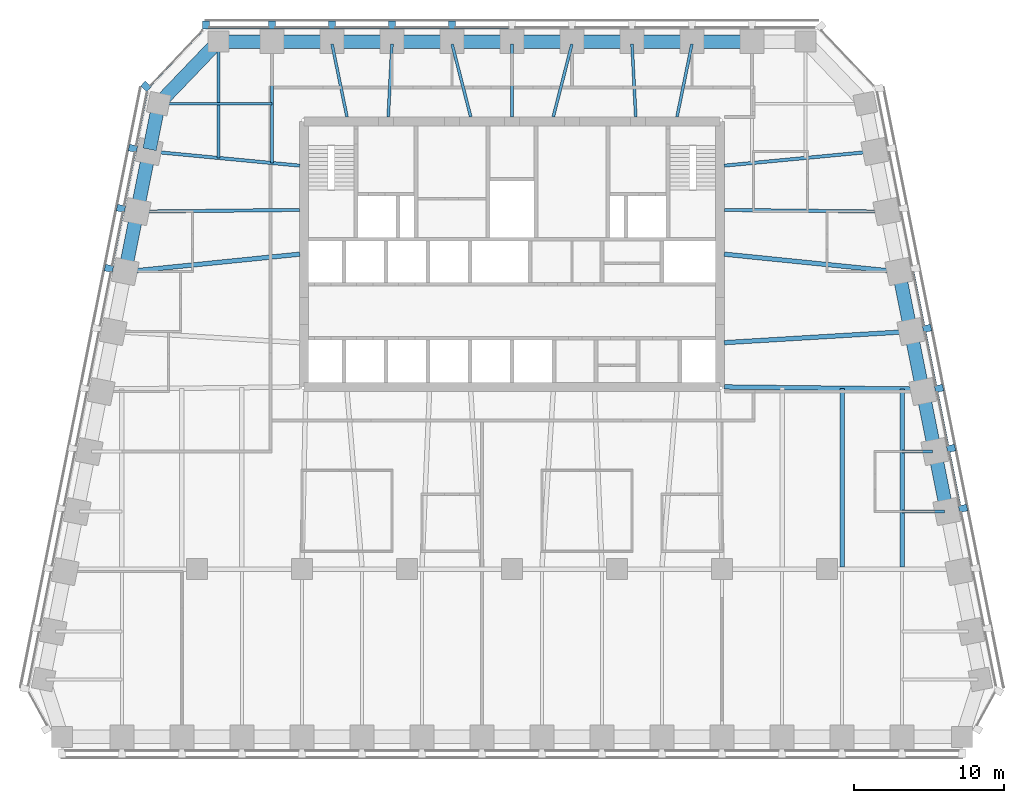
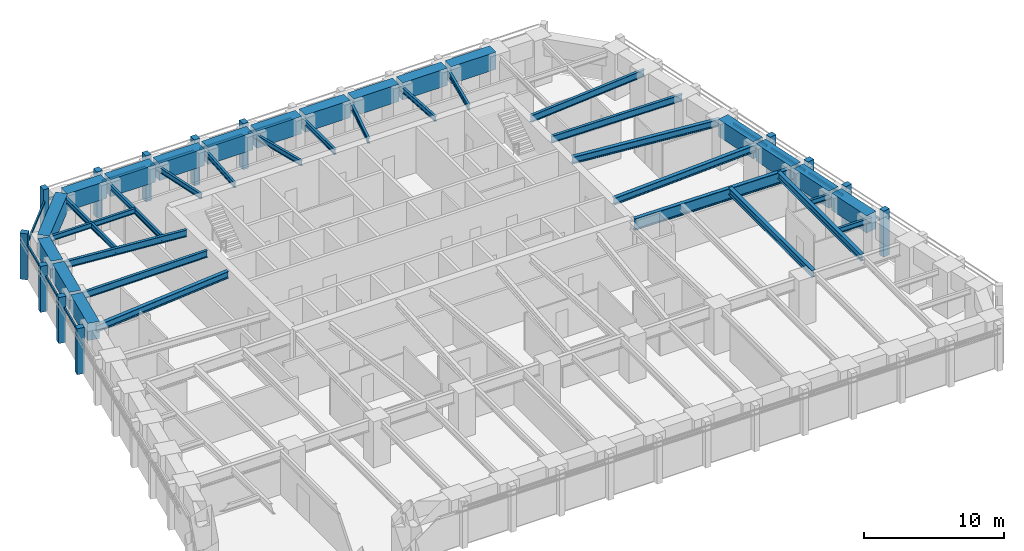
# One storey, part 3 of 10: 39 beams, 26 members, 4 elements without a shape of their own.
"""IFC4 building model written with IfcOpenShell, lengths in metres."""

from ifc_helpers import new_model, si_unit, direction, frame, origin, origin_2d, place, context, subcontext, project, spatial, rectangle, i_section, extrude, material, material_profile, profile_set, type_object, element, aggregate, save


model = new_model("IFC4")

# Units and contexts
model_context = context("Model", 3, precision=1e-05, world=origin(), true_north=direction((0.0, 1.0)))
body_context = subcontext(model_context, "Body", "Model", "MODEL_VIEW")
ifc_project = project(units=[si_unit("LENGTHUNIT", "METRE"), si_unit("AREAUNIT", "SQUARE_METRE"), si_unit("VOLUMEUNIT", "CUBIC_METRE"), si_unit("PLANEANGLEUNIT", "RADIAN"), si_unit("MASSUNIT", "GRAM", prefix="KILO")], contexts=[model_context])

# Site, building, storey
site_placement = place(None, origin())
site = spatial("IfcSite", under=ifc_project, at=site_placement, CompositionType="ELEMENT")
building_placement = place(site_placement, origin())
building = spatial("IfcBuilding", under=site, at=building_placement, Name="Isbrekke Arena Tower", CompositionType="ELEMENT")
storey_placement = place(building_placement, frame((0.0, 0.0, 230.0)))
storey = spatial("IfcBuildingStorey", under=building, at=storey_placement, Name="L53", CompositionType="ELEMENT", Elevation=230.0)

# Beams
ifc_material_1 = material(Name="Steel S355", Category="steel")
ifc_material_profile_1 = material_profile(ifc_material_1, i_section(OverallWidth=0.219970703125, OverallDepth=0.60009765625, WebThickness=0.011962890625, FlangeThickness=0.01904296875, FilletRadius=0.02392578125, at=origin_2d()), Name="IPE 600")
ifc_profile_set_1 = profile_set([ifc_material_profile_1], Name="Steel S355")
beam_type_1 = type_object("IfcBeamType", Name="B1 IPE 600", PredefinedType="BEAM", material=ifc_profile_set_1)
beam_1_placement = place(storey_placement, frame((24.83984375, 17.838134765625, 3.550048828125), z_axis=(-0.999945299061, 0.010459392202, 0.0), x_axis=(-0.010459392202, -0.999945299061, 0.0)))
element("IfcBeam", 1, at=beam_1_placement, inside=storey, type_object=beam_type_1, Name="B1 beam E-E09 L53", PredefinedType="BEAM", context=body_context, shape_type="SweptSolid", body=[
    extrude(i_section(OverallWidth=0.219970703125, OverallDepth=0.60009765625, WebThickness=0.011962890625, FlangeThickness=0.01904296875, FilletRadius=0.02392578125, at=origin_2d()), origin(), (0.0, 0.0, 1.0), 10.6904296875),
])
for number, where, z_axis, x_axis, name in (
    (2, (24.03076171875, 21.837158203125, 3.550048828125), (-0.99553133081, -0.094431823952, 0.0), (0.094431823952, -0.99553133081, 0.0), "B1 beam E-E10 L53"),
    (3, (-24.03076171875, 21.837158203125, 3.550048828125), (0.99553133081, -0.094431823952, 0.0), (0.094431823952, 0.99553133081, 0.0), "B1 beam E-W02 L53"),
):
    element("IfcBeam", number, at=place(storey_placement, frame(where, z_axis=z_axis, x_axis=x_axis)), inside=storey, type_object=beam_type_1, Name=name, PredefinedType="BEAM", context=body_context, shape_type="SweptSolid", body=[
        extrude(i_section(OverallWidth=0.219970703125, OverallDepth=0.60009765625, WebThickness=0.011962890625, FlangeThickness=0.01904296875, FilletRadius=0.02392578125, at=origin_2d()), origin(), (0.0, 0.0, 1.0), 9.92529296875),
    ])
beam_2_placement = place(storey_placement, frame((-24.83984375, 17.838134765625, 3.550048828125), z_axis=(0.999945299061, 0.010459392202, 0.0), x_axis=(-0.010459392202, 0.999945299061, 0.0)))
element("IfcBeam", 4, at=beam_2_placement, inside=storey, type_object=beam_type_1, Name="B1 beam E-W03 L53", PredefinedType="BEAM", context=body_context, shape_type="SweptSolid", body=[
    extrude(i_section(OverallWidth=0.219970703125, OverallDepth=0.60009765625, WebThickness=0.011962890625, FlangeThickness=0.01904296875, FilletRadius=0.02392578125, at=origin_2d()), origin(), (0.0, 0.0, 1.0), 10.6904296875),
])
ifc_material_2 = material(Name="Steel S355", Category="steel")
ifc_material_profile_2 = material_profile(ifc_material_2, i_section(OverallWidth=0.18994140625, OverallDepth=0.449951171875, WebThickness=0.009521484375, FlangeThickness=0.0146484375, FilletRadius=0.02099609375, at=origin_2d()), Name="IPE 450")
ifc_profile_set_2 = profile_set([ifc_material_profile_2], Name="Steel S355")
beam_type_2 = type_object("IfcBeamType", Name="B2 IPE 450", PredefinedType="BEAM", material=ifc_profile_set_2)
beam_3_placement = place(storey_placement, frame((28.841064453125, -2.161865234375, 3.625), z_axis=(-1.0, 0.0, 0.0), x_axis=(0.0, -1.0, 0.0)))
element("IfcBeam", 5, at=beam_3_placement, inside=storey, type_object=beam_type_2, Name="B2 beam E-E04 L53", PredefinedType="BEAM", context=body_context, shape_type="SweptSolid", body=[
    extrude(i_section(OverallWidth=0.18994140625, OverallDepth=0.449951171875, WebThickness=0.009521484375, FlangeThickness=0.0146484375, FilletRadius=0.02099609375, at=origin_2d()), origin(), (0.0, 0.0, 1.0), 2.841064453125),
])
beam_4_placement = place(storey_placement, frame((28.041015625, 1.838134765625, 3.625), z_axis=(-1.0, 0.0, 0.0), x_axis=(0.0, -1.0, 0.0)))
element("IfcBeam", 6, at=beam_4_placement, inside=storey, type_object=beam_type_2, Name="B2 beam E-E05 L53", PredefinedType="BEAM", context=body_context, shape_type="SweptSolid", body=[
    extrude(i_section(OverallWidth=0.18994140625, OverallDepth=0.449951171875, WebThickness=0.009521484375, FlangeThickness=0.0146484375, FilletRadius=0.02099609375, at=origin_2d()), origin(), (0.0, 0.0, 1.0), 2.041015625),
])
beam_5_placement = place(storey_placement, frame((-23.40283203125, 25.029296875, 3.625), z_axis=(1.0, 0.0, 0.0), x_axis=(0.0, 1.0, 0.0)))
element("IfcBeam", 7, at=beam_5_placement, inside=storey, type_object=beam_type_2, Name="B2 beam E-W01 L53", PredefinedType="BEAM", context=body_context, shape_type="SweptSolid", body=[
    extrude(i_section(OverallWidth=0.18994140625, OverallDepth=0.449951171875, WebThickness=0.009521484375, FlangeThickness=0.0146484375, FilletRadius=0.02099609375, at=origin_2d()), origin(), (0.0, 0.0, 1.0), 7.40283203125),
])
ifc_material_3 = material(Name="Steel S355", Category="steel")
ifc_material_profile_3 = material_profile(ifc_material_3, i_section(OverallWidth=0.18994140625, OverallDepth=0.449951171875, WebThickness=0.009521484375, FlangeThickness=0.0146484375, FilletRadius=0.02099609375, at=origin_2d()), Name="IPE 450")
ifc_profile_set_3 = profile_set([ifc_material_profile_3], Name="Steel S355")
beam_type_3 = type_object("IfcBeamType", Name="B3 IPE 450", PredefinedType="BEAM", material=ifc_profile_set_3)
beam_6_placement = place(storey_placement, frame((-16.0, 29.02490234375, 3.625), z_axis=(0.0, -1.0, 0.0), x_axis=(1.0, 0.0, 0.0)))
element("IfcBeam", 8, at=beam_6_placement, inside=storey, type_object=beam_type_3, Name="B3 beam N-N10 L53", PredefinedType="BEAM", context=body_context, shape_type="SweptSolid", body=[
    extrude(i_section(OverallWidth=0.18994140625, OverallDepth=0.449951171875, WebThickness=0.009521484375, FlangeThickness=0.0146484375, FilletRadius=0.02099609375, at=origin_2d()), origin(), (0.0, 0.0, 1.0), 7.949462890625),
])
beam_7_placement = place(storey_placement, frame((-19.574951171875, 29.02490234375, 3.625), z_axis=(0.0, -1.0, 0.0), x_axis=(1.0, 0.0, 0.0)))
element("IfcBeam", 9, at=beam_7_placement, inside=storey, type_object=beam_type_3, Name="B3 beam N-N11 L53", PredefinedType="BEAM", context=body_context, shape_type="SweptSolid", body=[
    extrude(i_section(OverallWidth=0.18994140625, OverallDepth=0.449951171875, WebThickness=0.009521484375, FlangeThickness=0.0146484375, FilletRadius=0.02099609375, at=origin_2d()), origin(), (0.0, 0.0, 1.0), 7.6103515625),
])
beam_8_placement = place(storey_placement, frame((11.99609375, 29.00634765625, 3.625), z_axis=(-0.200924755878, -0.979606677435, 0.0), x_axis=(0.979606677435, -0.200924755878, 0.0)))
element("IfcBeam", 10, at=beam_8_placement, inside=storey, type_object=beam_type_3, Name="B3 beam N-N03 L53", PredefinedType="BEAM", context=body_context, shape_type="SweptSolid", body=[
    extrude(i_section(OverallWidth=0.18994140625, OverallDepth=0.449951171875, WebThickness=0.009521484375, FlangeThickness=0.0146484375, FilletRadius=0.02099609375, at=origin_2d()), origin(), (0.0, 0.0, 1.0), 4.95751953125),
])
beam_9_placement = place(storey_placement, frame((8.000244140625, 29.02001953125, 3.625), z_axis=(0.051216032312, -0.998687597817, 0.0), x_axis=(0.998687597817, 0.051216032312, 0.0)))
element("IfcBeam", 11, at=beam_9_placement, inside=storey, type_object=beam_type_3, Name="B3 beam N-N04 L53", PredefinedType="BEAM", context=body_context, shape_type="SweptSolid", body=[
    extrude(i_section(OverallWidth=0.18994140625, OverallDepth=0.449951171875, WebThickness=0.009521484375, FlangeThickness=0.0146484375, FilletRadius=0.02099609375, at=origin_2d()), origin(), (0.0, 0.0, 1.0), 4.87646484375),
])
beam_10_placement = place(storey_placement, frame((3.994140625, 29.002197265625, 3.625), z_axis=(-0.248368314686, -0.968665670012, 0.0), x_axis=(0.968665670012, -0.248368314686, 0.0)))
element("IfcBeam", 12, at=beam_10_placement, inside=storey, type_object=beam_type_3, Name="B3 beam N-N05 L53", PredefinedType="BEAM", context=body_context, shape_type="SweptSolid", body=[
    extrude(i_section(OverallWidth=0.18994140625, OverallDepth=0.449951171875, WebThickness=0.009521484375, FlangeThickness=0.0146484375, FilletRadius=0.02099609375, at=origin_2d()), origin(), (0.0, 0.0, 1.0), 5.00927734375),
])
beam_11_placement = place(storey_placement, frame((0.0, 29.02490234375, 3.625), z_axis=(0.0, -1.0, 0.0), x_axis=(1.0, 0.0, 0.0)))
element("IfcBeam", 13, at=beam_11_placement, inside=storey, type_object=beam_type_3, Name="B3 beam N-N06 L53", PredefinedType="BEAM", context=body_context, shape_type="SweptSolid", body=[
    extrude(i_section(OverallWidth=0.18994140625, OverallDepth=0.449951171875, WebThickness=0.009521484375, FlangeThickness=0.0146484375, FilletRadius=0.02099609375, at=origin_2d()), origin(), (0.0, 0.0, 1.0), 4.875),
])
beam_12_placement = place(storey_placement, frame((-3.994140625, 29.002197265625, 3.625), z_axis=(0.248368314686, -0.968665670012, 0.0), x_axis=(0.968665670012, 0.248368314686, 0.0)))
element("IfcBeam", 14, at=beam_12_placement, inside=storey, type_object=beam_type_3, Name="B3 beam N-N07 L53", PredefinedType="BEAM", context=body_context, shape_type="SweptSolid", body=[
    extrude(i_section(OverallWidth=0.18994140625, OverallDepth=0.449951171875, WebThickness=0.009521484375, FlangeThickness=0.0146484375, FilletRadius=0.02099609375, at=origin_2d()), origin(), (0.0, 0.0, 1.0), 5.00927734375),
])
beam_13_placement = place(storey_placement, frame((-8.000244140625, 29.02001953125, 3.625), z_axis=(-0.051216032312, -0.998687597817, 0.0), x_axis=(0.998687597817, -0.051216032312, 0.0)))
element("IfcBeam", 15, at=beam_13_placement, inside=storey, type_object=beam_type_3, Name="B3 beam N-N08 L53", PredefinedType="BEAM", context=body_context, shape_type="SweptSolid", body=[
    extrude(i_section(OverallWidth=0.18994140625, OverallDepth=0.449951171875, WebThickness=0.009521484375, FlangeThickness=0.0146484375, FilletRadius=0.02099609375, at=origin_2d()), origin(), (0.0, 0.0, 1.0), 4.87646484375),
])
beam_14_placement = place(storey_placement, frame((-11.99609375, 29.00634765625, 3.625), z_axis=(0.200924755878, -0.979606677435, 0.0), x_axis=(0.979606677435, 0.200924755878, 0.0)))
element("IfcBeam", 16, at=beam_14_placement, inside=storey, type_object=beam_type_3, Name="B3 beam N-N09 L53", PredefinedType="BEAM", context=body_context, shape_type="SweptSolid", body=[
    extrude(i_section(OverallWidth=0.18994140625, OverallDepth=0.449951171875, WebThickness=0.009521484375, FlangeThickness=0.0146484375, FilletRadius=0.02099609375, at=origin_2d()), origin(), (0.0, 0.0, 1.0), 4.95751953125),
])
ifc_material_4 = material(Name="Steel S355", Category="steel")
ifc_material_profile_4 = material_profile(ifc_material_4, i_section(OverallWidth=0.300048828125, OverallDepth=0.60009765625, WebThickness=0.015380859375, FlangeThickness=0.030029296875, FilletRadius=0.027099609375, at=origin_2d()), Name="HEB 600")
ifc_profile_set_4 = profile_set([ifc_material_profile_4], Name="Steel S355")
beam_type_4 = type_object("IfcBeamType", Name="B7 HEB 600", PredefinedType="BEAM", material=ifc_profile_set_4)
beam_15_placement = place(storey_placement, frame((22.0, -5.84912109375, 3.550048828125), z_axis=(0.0, 1.0, 0.0), x_axis=(-1.0, 0.0, 0.0)))
element("IfcBeam", 17, at=beam_15_placement, inside=storey, type_object=beam_type_4, Name="B7 beam C-M13 L53", PredefinedType="BEAM", context=body_context, shape_type="SweptSolid", body=[
    extrude(i_section(OverallWidth=0.300048828125, OverallDepth=0.60009765625, WebThickness=0.015380859375, FlangeThickness=0.030029296875, FilletRadius=0.027099609375, at=origin_2d()), origin(), (0.0, 0.0, 1.0), 11.91015625),
])
beam_16_placement = place(storey_placement, frame((26.0, -5.84912109375, 3.550048828125), z_axis=(0.0, 1.0, 0.0), x_axis=(-1.0, 0.0, 0.0)))
element("IfcBeam", 18, at=beam_16_placement, inside=storey, type_object=beam_type_4, Name="B7 beam C-M14 L53", PredefinedType="BEAM", context=body_context, shape_type="SweptSolid", body=[
    extrude(i_section(OverallWidth=0.300048828125, OverallDepth=0.60009765625, WebThickness=0.015380859375, FlangeThickness=0.030029296875, FilletRadius=0.027099609375, at=origin_2d()), origin(), (0.0, 0.0, 1.0), 11.864990234375),
])
beam_17_placement = place(storey_placement, frame((26.43212890625, 9.837646484375, 3.550048828125), z_axis=(-0.998201854902, -0.059942112659, 0.0), x_axis=(0.059942112659, -0.998201854902, 0.0)))
element("IfcBeam", 19, at=beam_17_placement, inside=storey, type_object=beam_type_4, Name="B7 beam E-E07 L53", PredefinedType="BEAM", context=body_context, shape_type="SweptSolid", body=[
    extrude(i_section(OverallWidth=0.300048828125, OverallDepth=0.60009765625, WebThickness=0.015380859375, FlangeThickness=0.030029296875, FilletRadius=0.027099609375, at=origin_2d()), origin(), (0.0, 0.0, 1.0), 12.304443359375),
])
for number, where, z_axis, x_axis, name in (
    (20, (25.6259765625, 13.83984375, 3.550048828125), (-0.994928891111, 0.100580821396, 0.0), (-0.100580821396, -0.994928891111, 0.0), "B7 beam E-E08 L53"),
    (21, (-25.6259765625, 13.83984375, 3.550048828125), (0.994928891111, 0.100580821396, 0.0), (-0.100580821396, 0.994928891111, 0.0), "B7 beam E-W04 L53"),
):
    element("IfcBeam", number, at=place(storey_placement, frame(where, z_axis=z_axis, x_axis=x_axis)), inside=storey, type_object=beam_type_4, Name=name, PredefinedType="BEAM", context=body_context, shape_type="SweptSolid", body=[
        extrude(i_section(OverallWidth=0.300048828125, OverallDepth=0.60009765625, WebThickness=0.015380859375, FlangeThickness=0.030029296875, FilletRadius=0.027099609375, at=origin_2d()), origin(), (0.0, 0.0, 1.0), 11.53466796875),
    ])

# Curtain wall, members
ifc_material_5 = material(Name="Glazed aluminium curtain wall", Category="aluminium")
curtain_wall_type = type_object("IfcCurtainWallType", Name="CWH TOWER CURTAIN WALL HIGH ZONE", PredefinedType="USERDEFINED", material=ifc_material_5)
curtain_wall_1_placement = place(storey_placement, origin())
curtain_wall_1 = element("IfcCurtainWall", 22, at=curtain_wall_1_placement, inside=storey, type_object=curtain_wall_type, Name="CWH curtain wall L53-E", ObjectType="TOWER CURTAIN WALL HIGH ZONE", PredefinedType="USERDEFINED")
ifc_material_6 = material(Name="Aluminium mullion, pale brick slip cladding", Category="masonry")
ifc_material_profile_5 = material_profile(ifc_material_6, rectangle(XDim=0.449951171875, YDim=0.550048828125, at=origin_2d()), Name="PIER 450X550")
ifc_profile_set_5 = profile_set([ifc_material_profile_5], Name="Aluminium mullion, pale brick slip cladding")
member_type_1 = type_object("IfcMemberType", Name="CWH-M PIER MULLION 450 x 550", PredefinedType="MULLION", material=ifc_profile_set_5)
member_1_placement = place(storey_placement, frame((30.069580078125, -1.946044921875, 0.0), z_axis=(0.0, 0.0, 1.0), x_axis=(-0.196116135138, 0.980580675691, 0.0)))
member_1 = element("IfcMember", 23, at=member_1_placement, type_object=member_type_1, Name="CWH-M mullion 3", PredefinedType="MULLION", context=body_context, shape_type="SweptSolid", body=[
    extrude(rectangle(XDim=0.449951171875, YDim=0.550048828125, at=origin_2d()), origin(), (0.0, 0.0, 1.0), 4.0),
])
member_2_placement = place(storey_placement, frame((29.269775390625, 2.053955078125, 0.0), z_axis=(0.0, 0.0, 1.0), x_axis=(-0.196116135138, 0.980580675691, 0.0)))
member_2 = element("IfcMember", 24, at=member_2_placement, type_object=member_type_1, Name="CWH-M mullion 4", PredefinedType="MULLION", context=body_context, shape_type="SweptSolid", body=[
    extrude(rectangle(XDim=0.449951171875, YDim=0.550048828125, at=origin_2d()), origin(), (0.0, 0.0, 1.0), 4.0),
])
member_3_placement = place(storey_placement, frame((28.4697265625, 6.053955078125, 0.0), z_axis=(0.0, 0.0, 1.0), x_axis=(-0.196116135138, 0.980580675691, 0.0)))
member_3 = element("IfcMember", 25, at=member_3_placement, type_object=member_type_1, Name="CWH-M mullion 5", PredefinedType="MULLION", context=body_context, shape_type="SweptSolid", body=[
    extrude(rectangle(XDim=0.449951171875, YDim=0.550048828125, at=origin_2d()), origin(), (0.0, 0.0, 1.0), 4.0),
])
member_4_placement = place(storey_placement, frame((27.669677734375, 10.053955078125, 0.0), z_axis=(0.0, 0.0, 1.0), x_axis=(-0.196116135138, 0.980580675691, 0.0)))
member_4 = element("IfcMember", 26, at=member_4_placement, type_object=member_type_1, Name="CWH-M mullion 6", PredefinedType="MULLION", context=body_context, shape_type="SweptSolid", body=[
    extrude(rectangle(XDim=0.449951171875, YDim=0.550048828125, at=origin_2d()), origin(), (0.0, 0.0, 1.0), 4.0),
])

curtain_wall_2_placement = place(storey_placement, origin())
curtain_wall_2 = element("IfcCurtainWall", 27, at=curtain_wall_2_placement, inside=storey, type_object=curtain_wall_type, Name="CWH curtain wall L53-N", ObjectType="TOWER CURTAIN WALL HIGH ZONE", PredefinedType="USERDEFINED")
member_5_placement = place(storey_placement, frame((-4.0, 30.27490234375, 0.0), z_axis=(0.0, 0.0, 1.0), x_axis=(-1.0, 0.0, 0.0)))
member_5 = element("IfcMember", 28, at=member_5_placement, type_object=member_type_1, Name="CWH-M mullion 6", PredefinedType="MULLION", context=body_context, shape_type="SweptSolid", body=[
    extrude(rectangle(XDim=0.449951171875, YDim=0.550048828125, at=origin_2d()), origin(), (0.0, 0.0, 1.0), 4.0),
])
member_6_placement = place(storey_placement, frame((-8.0, 30.27490234375, 0.0), z_axis=(0.0, 0.0, 1.0), x_axis=(-1.0, 0.0, 0.0)))
member_6 = element("IfcMember", 29, at=member_6_placement, type_object=member_type_1, Name="CWH-M mullion 7", PredefinedType="MULLION", context=body_context, shape_type="SweptSolid", body=[
    extrude(rectangle(XDim=0.449951171875, YDim=0.550048828125, at=origin_2d()), origin(), (0.0, 0.0, 1.0), 4.0),
])
member_7_placement = place(storey_placement, frame((-12.0, 30.27490234375, 0.0), z_axis=(0.0, 0.0, 1.0), x_axis=(-1.0, 0.0, 0.0)))
member_7 = element("IfcMember", 30, at=member_7_placement, type_object=member_type_1, Name="CWH-M mullion 8", PredefinedType="MULLION", context=body_context, shape_type="SweptSolid", body=[
    extrude(rectangle(XDim=0.449951171875, YDim=0.550048828125, at=origin_2d()), origin(), (0.0, 0.0, 1.0), 4.0),
])
member_8_placement = place(storey_placement, frame((-16.0, 30.27490234375, 0.0), z_axis=(0.0, 0.0, 1.0), x_axis=(-1.0, 0.0, 0.0)))
member_8 = element("IfcMember", 31, at=member_8_placement, type_object=member_type_1, Name="CWH-M mullion 9", PredefinedType="MULLION", context=body_context, shape_type="SweptSolid", body=[
    extrude(rectangle(XDim=0.449951171875, YDim=0.550048828125, at=origin_2d()), origin(), (0.0, 0.0, 1.0), 4.0),
])
member_9_placement = place(storey_placement, frame((-20.39990234375, 30.27490234375, 0.0), z_axis=(0.0, 0.0, 1.0), x_axis=(-1.0, 0.0, 0.0)))
member_9 = element("IfcMember", 32, at=member_9_placement, type_object=member_type_1, Name="CWH-M mullion 10", PredefinedType="MULLION", context=body_context, shape_type="SweptSolid", body=[
    extrude(rectangle(XDim=0.449951171875, YDim=0.550048828125, at=origin_2d()), origin(), (0.0, 0.0, 1.0), 4.0),
])

# Curtain wall, member
curtain_wall_3_placement = place(storey_placement, origin())
curtain_wall_3 = element("IfcCurtainWall", 33, at=curtain_wall_3_placement, inside=storey, type_object=curtain_wall_type, Name="CWH curtain wall L53-NW", ObjectType="TOWER CURTAIN WALL HIGH ZONE", PredefinedType="USERDEFINED")
member_10_placement = place(storey_placement, frame((-24.3994140625, 26.189453125, 0.0), z_axis=(0.0, 0.0, 1.0), x_axis=(-0.68874946192, -0.72499943359, 0.0)))
member_10 = element("IfcMember", 34, at=member_10_placement, type_object=member_type_1, Name="CWH-M mullion 1", PredefinedType="MULLION", context=body_context, shape_type="SweptSolid", body=[
    extrude(rectangle(XDim=0.449951171875, YDim=0.550048828125, at=origin_2d()), origin(), (0.0, 0.0, 1.0), 4.0),
])

# Curtain wall, members
curtain_wall_4_placement = place(storey_placement, origin())
curtain_wall_4 = element("IfcCurtainWall", 35, at=curtain_wall_4_placement, inside=storey, type_object=curtain_wall_type, Name="CWH curtain wall L53-W", ObjectType="TOWER CURTAIN WALL HIGH ZONE", PredefinedType="USERDEFINED")
member_11_placement = place(storey_placement, frame((-25.269775390625, 22.053955078125, 0.0), z_axis=(0.0, 0.0, 1.0), x_axis=(-0.196116135138, -0.980580675691, 0.0)))
member_11 = element("IfcMember", 36, at=member_11_placement, type_object=member_type_1, Name="CWH-M mullion 1", PredefinedType="MULLION", context=body_context, shape_type="SweptSolid", body=[
    extrude(rectangle(XDim=0.449951171875, YDim=0.550048828125, at=origin_2d()), origin(), (0.0, 0.0, 1.0), 4.0),
])
member_12_placement = place(storey_placement, frame((-26.069580078125, 18.053955078125, 0.0), z_axis=(0.0, 0.0, 1.0), x_axis=(-0.196116135138, -0.980580675691, 0.0)))
member_12 = element("IfcMember", 37, at=member_12_placement, type_object=member_type_1, Name="CWH-M mullion 2", PredefinedType="MULLION", context=body_context, shape_type="SweptSolid", body=[
    extrude(rectangle(XDim=0.449951171875, YDim=0.550048828125, at=origin_2d()), origin(), (0.0, 0.0, 1.0), 4.0),
])
member_13_placement = place(storey_placement, frame((-26.86962890625, 14.053955078125, 0.0), z_axis=(0.0, 0.0, 1.0), x_axis=(-0.196116135138, -0.980580675691, 0.0)))
member_13 = element("IfcMember", 38, at=member_13_placement, type_object=member_type_1, Name="CWH-M mullion 3", PredefinedType="MULLION", context=body_context, shape_type="SweptSolid", body=[
    extrude(rectangle(XDim=0.449951171875, YDim=0.550048828125, at=origin_2d()), origin(), (0.0, 0.0, 1.0), 4.0),
])

# Member
ifc_material_7 = material(Name="Aluminium transom", Category="aluminium")
ifc_material_profile_6 = material_profile(ifc_material_7, rectangle(XDim=0.1201171875, YDim=0.199951171875, at=origin_2d()), Name="TRANSOM 120X200")
ifc_profile_set_6 = profile_set([ifc_material_profile_6], Name="Aluminium transom")
member_type_2 = type_object("IfcMemberType", Name="CWH-T TRANSOM 120 x 200", PredefinedType="USERDEFINED", material=ifc_profile_set_6)
member_14_placement = place(storey_placement, frame((29.85400390625, -1.759765625, 3.0), z_axis=(-0.196154943734, 0.980572913173, 0.0), x_axis=(-0.980572913173, -0.196154943734, 0.0)))
member_14 = element("IfcMember", 39, at=member_14_placement, type_object=member_type_2, Name="CWH-T transom 4", ObjectType="TRANSOM", PredefinedType="USERDEFINED", context=body_context, shape_type="SweptSolid", body=[
    extrude(rectangle(XDim=0.1201171875, YDim=0.199951171875, at=origin_2d()), origin(), (0.0, 0.0, 1.0), 3.62939453125),
])

member_15_placement = place(storey_placement, frame((29.053955078125, 2.240234375, 3.0), z_axis=(-0.196090262229, 0.980585849918, 0.0), x_axis=(-0.980585849918, -0.196090262229, 0.0)))
member_15 = element("IfcMember", 40, at=member_15_placement, type_object=member_type_2, Name="CWH-T transom 5", ObjectType="TRANSOM", PredefinedType="USERDEFINED", context=body_context, shape_type="SweptSolid", body=[
    extrude(rectangle(XDim=0.1201171875, YDim=0.199951171875, at=origin_2d()), origin(), (0.0, 0.0, 1.0), 3.62939453125),
])

member_16_placement = place(storey_placement, frame((28.25390625, 6.240234375, 3.0), z_axis=(-0.196090262229, 0.980585849918, 0.0), x_axis=(-0.980585849918, -0.196090262229, 0.0)))
member_16 = element("IfcMember", 41, at=member_16_placement, type_object=member_type_2, Name="CWH-T transom 6", ObjectType="TRANSOM", PredefinedType="USERDEFINED", context=body_context, shape_type="SweptSolid", body=[
    extrude(rectangle(XDim=0.1201171875, YDim=0.199951171875, at=origin_2d()), origin(), (0.0, 0.0, 1.0), 3.62939453125),
])

member_17_placement = place(storey_placement, frame((27.453857421875, 10.240234375, 3.0), z_axis=(-0.196090262229, 0.980585849918, 0.0), x_axis=(-0.980585849918, -0.196090262229, 0.0)))
member_17 = element("IfcMember", 42, at=member_17_placement, type_object=member_type_2, Name="CWH-T transom 7", ObjectType="TRANSOM", PredefinedType="USERDEFINED", context=body_context, shape_type="SweptSolid", body=[
    extrude(rectangle(XDim=0.1201171875, YDim=0.199951171875, at=origin_2d()), origin(), (0.0, 0.0, 1.0), 3.62939453125),
])

aggregate(curtain_wall_1, [member_1, member_2, member_3, member_4, member_14, member_15, member_16, member_17])

member_18_placement = place(storey_placement, frame((-0.22509765625, 30.10009765625, 3.0), z_axis=(-1.0, 0.0, 0.0), x_axis=(0.0, -1.0, 0.0)))
member_18 = element("IfcMember", 43, at=member_18_placement, type_object=member_type_2, Name="CWH-T transom 6", ObjectType="TRANSOM", PredefinedType="USERDEFINED", context=body_context, shape_type="SweptSolid", body=[
    extrude(rectangle(XDim=0.1201171875, YDim=0.199951171875, at=origin_2d()), origin(), (0.0, 0.0, 1.0), 3.5498046875),
])

member_19_placement = place(storey_placement, frame((-4.22509765625, 30.10009765625, 3.0), z_axis=(-1.0, 0.0, 0.0), x_axis=(0.0, -1.0, 0.0)))
member_19 = element("IfcMember", 44, at=member_19_placement, type_object=member_type_2, Name="CWH-T transom 7", ObjectType="TRANSOM", PredefinedType="USERDEFINED", context=body_context, shape_type="SweptSolid", body=[
    extrude(rectangle(XDim=0.1201171875, YDim=0.199951171875, at=origin_2d()), origin(), (0.0, 0.0, 1.0), 3.5498046875),
])

member_20_placement = place(storey_placement, frame((-8.22509765625, 30.10009765625, 3.0), z_axis=(-1.0, 0.0, 0.0), x_axis=(0.0, -1.0, 0.0)))
member_20 = element("IfcMember", 45, at=member_20_placement, type_object=member_type_2, Name="CWH-T transom 8", ObjectType="TRANSOM", PredefinedType="USERDEFINED", context=body_context, shape_type="SweptSolid", body=[
    extrude(rectangle(XDim=0.1201171875, YDim=0.199951171875, at=origin_2d()), origin(), (0.0, 0.0, 1.0), 3.5498046875),
])

member_21_placement = place(storey_placement, frame((-12.22509765625, 30.10009765625, 3.0), z_axis=(-1.0, 0.0, 0.0), x_axis=(0.0, -1.0, 0.0)))
member_21 = element("IfcMember", 46, at=member_21_placement, type_object=member_type_2, Name="CWH-T transom 9", ObjectType="TRANSOM", PredefinedType="USERDEFINED", context=body_context, shape_type="SweptSolid", body=[
    extrude(rectangle(XDim=0.1201171875, YDim=0.199951171875, at=origin_2d()), origin(), (0.0, 0.0, 1.0), 3.5498046875),
])

member_22_placement = place(storey_placement, frame((-16.22509765625, 30.10009765625, 3.0), z_axis=(-1.0, 0.0, 0.0), x_axis=(0.0, -1.0, 0.0)))
member_22 = element("IfcMember", 47, at=member_22_placement, type_object=member_type_2, Name="CWH-T transom 10", ObjectType="TRANSOM", PredefinedType="USERDEFINED", context=body_context, shape_type="SweptSolid", body=[
    extrude(rectangle(XDim=0.1201171875, YDim=0.199951171875, at=origin_2d()), origin(), (0.0, 0.0, 1.0), 3.949951171875),
])

aggregate(curtain_wall_2, [member_5, member_6, member_7, member_8, member_9, member_18, member_19, member_20, member_21, member_22])

member_23_placement = place(storey_placement, frame((-20.62744140625, 29.90576171875, 3.0), z_axis=(-0.688734266994, -0.725013868466, 0.0), x_axis=(0.725013868466, -0.688734266994, 0.0)))
member_23 = element("IfcMember", 48, at=member_23_placement, type_object=member_type_2, Name="CWH-T transom 1", ObjectType="TRANSOM", PredefinedType="USERDEFINED", context=body_context, shape_type="SweptSolid", body=[
    extrude(rectangle(XDim=0.1201171875, YDim=0.199951171875, at=origin_2d()), origin(), (0.0, 0.0, 1.0), 5.067138671875),
])

aggregate(curtain_wall_3, [member_10, member_23])

member_24_placement = place(storey_placement, frame((-24.34228515625, 25.799072265625, 3.0), z_axis=(-0.196090262229, -0.980585849918, 0.0), x_axis=(0.980585849918, -0.196090262229, 0.0)))
member_24 = element("IfcMember", 49, at=member_24_placement, type_object=member_type_2, Name="CWH-T transom 1", ObjectType="TRANSOM", PredefinedType="USERDEFINED", context=body_context, shape_type="SweptSolid", body=[
    extrude(rectangle(XDim=0.1201171875, YDim=0.199951171875, at=origin_2d()), origin(), (0.0, 0.0, 1.0), 3.62939453125),
])

member_25_placement = place(storey_placement, frame((-25.14208984375, 21.799072265625, 3.0), z_axis=(-0.196154943734, -0.980572913173, 0.0), x_axis=(0.980572913173, -0.196154943734, 0.0)))
member_25 = element("IfcMember", 50, at=member_25_placement, type_object=member_type_2, Name="CWH-T transom 2", ObjectType="TRANSOM", PredefinedType="USERDEFINED", context=body_context, shape_type="SweptSolid", body=[
    extrude(rectangle(XDim=0.1201171875, YDim=0.199951171875, at=origin_2d()), origin(), (0.0, 0.0, 1.0), 3.62939453125),
])

member_26_placement = place(storey_placement, frame((-25.942138671875, 17.799072265625, 3.0), z_axis=(-0.196154943734, -0.980572913173, 0.0), x_axis=(0.980572913173, -0.196154943734, 0.0)))
member_26 = element("IfcMember", 51, at=member_26_placement, type_object=member_type_2, Name="CWH-T transom 3", ObjectType="TRANSOM", PredefinedType="USERDEFINED", context=body_context, shape_type="SweptSolid", body=[
    extrude(rectangle(XDim=0.1201171875, YDim=0.199951171875, at=origin_2d()), origin(), (0.0, 0.0, 1.0), 3.62939453125),
])

aggregate(curtain_wall_4, [member_11, member_12, member_13, member_24, member_25, member_26])

# Beams
ifc_material_8 = material(Name="Steel S355", Category="steel")
ifc_material_profile_7 = material_profile(ifc_material_8, i_section(OverallWidth=0.302001953125, OverallDepth=1.008056640625, WebThickness=0.02099609375, FlangeThickness=0.0400390625, FilletRadius=0.030029296875, at=origin_2d()), Name="HEM 1000")
ifc_profile_set_7 = profile_set([ifc_material_profile_7], Name="Steel S355")
beam_type_5 = type_object("IfcBeamType", Name="G2 HEM 1000", PredefinedType="BEAM", material=ifc_profile_set_7)
beam_18_placement = place(storey_placement, frame((14.14990234375, 6.14990234375, 3.345947265625), z_axis=(0.999935908299, -0.011321629528, 0.0), x_axis=(0.011321629528, 0.999935908299, 0.0)))
element("IfcBeam", 52, at=beam_18_placement, inside=storey, type_object=beam_type_5, Name="G2 beam G2-E L53", PredefinedType="BEAM", context=body_context, shape_type="SweptSolid", body=[
    extrude(i_section(OverallWidth=0.302001953125, OverallDepth=1.008056640625, WebThickness=0.02099609375, FlangeThickness=0.0400390625, FilletRadius=0.030029296875, at=origin_2d()), origin(), (0.0, 0.0, 1.0), 13.240234375),
])
ifc_material_9 = material(Name="Concrete B65 (C65/80)", Category="concrete")
ifc_material_profile_8 = material_profile(ifc_material_9, rectangle(XDim=0.89990234375, YDim=1.5, at=origin_2d()), Name="RC 900x1500")
ifc_profile_set_8 = profile_set([ifc_material_profile_8], Name="Concrete B65 (C65/80)")
beam_type_6 = type_object("IfcBeamType", Name="SB3 RC 900 x 1500", PredefinedType="SPANDREL", material=ifc_profile_set_8)
for number, where, z_axis, x_axis, name in (
    (53, (28.961669921875, -2.0146484375, 3.25), (-0.196128558387, 0.980578190959, 0.0), (-0.980578190959, -0.196128558387, 0.0), "SB3 spandrel E04-E05 L53"),
    (54, (28.16162109375, 1.9853515625, 3.25), (-0.196128558387, 0.980578190959, 0.0), (-0.980578190959, -0.196128558387, 0.0), "SB3 spandrel E05-E06 L53"),
    (55, (27.361572265625, 5.9853515625, 3.25), (-0.196128558387, 0.980578190959, 0.0), (-0.980578190959, -0.196128558387, 0.0), "SB3 spandrel E06-E07 L53"),
):
    element("IfcBeam", number, at=place(storey_placement, frame(where, z_axis=z_axis, x_axis=x_axis)), inside=storey, type_object=beam_type_6, Name=name, PredefinedType="SPANDREL", context=body_context, shape_type="SweptSolid", body=[
        extrude(rectangle(XDim=0.89990234375, YDim=1.5, at=origin_2d()), origin(), (0.0, 0.0, 1.0), 3.779296875),
    ])
beam_19_placement = place(storey_placement, frame((26.5615234375, 9.9853515625, 3.25), z_axis=(-0.1960664412, 0.980590613169, 0.0), x_axis=(-0.980590613169, -0.1960664412, 0.0)))
element("IfcBeam", 56, at=beam_19_placement, inside=storey, type_object=beam_type_6, Name="SB3 spandrel E07-E08 L53", PredefinedType="SPANDREL", context=body_context, shape_type="SweptSolid", body=[
    extrude(rectangle(XDim=0.89990234375, YDim=1.5, at=origin_2d()), origin(), (0.0, 0.0, 1.0), 3.779052734375),
])
for number, where, z_axis, x_axis, name in (
    (57, (15.85009765625, 29.175048828125, 3.25), (-1.0, 0.0, 0.0), (0.0, -1.0, 0.0), "SB3 spandrel N02-N03 L53"),
    (58, (11.85009765625, 29.175048828125, 3.25), (-1.0, 0.0, 0.0), (0.0, -1.0, 0.0), "SB3 spandrel N03-N04 L53"),
    (59, (7.85009765625, 29.175048828125, 3.25), (-1.0, 0.0, 0.0), (0.0, -1.0, 0.0), "SB3 spandrel N04-N05 L53"),
    (60, (3.85009765625, 29.175048828125, 3.25), (-1.0, 0.0, 0.0), (0.0, -1.0, 0.0), "SB3 spandrel N05-N06 L53"),
    (61, (-0.14990234375, 29.175048828125, 3.25), (-1.0, 0.0, 0.0), (0.0, -1.0, 0.0), "SB3 spandrel N06-N07 L53"),
    (62, (-4.14990234375, 29.175048828125, 3.25), (-1.0, 0.0, 0.0), (0.0, -1.0, 0.0), "SB3 spandrel N07-N08 L53"),
    (63, (-8.14990234375, 29.175048828125, 3.25), (-1.0, 0.0, 0.0), (0.0, -1.0, 0.0), "SB3 spandrel N08-N09 L53"),
    (64, (-12.14990234375, 29.175048828125, 3.25), (-1.0, 0.0, 0.0), (0.0, -1.0, 0.0), "SB3 spandrel N09-N10 L53"),
):
    element("IfcBeam", number, at=place(storey_placement, frame(where, z_axis=z_axis, x_axis=x_axis)), inside=storey, type_object=beam_type_6, Name=name, PredefinedType="SPANDREL", context=body_context, shape_type="SweptSolid", body=[
        extrude(rectangle(XDim=0.89990234375, YDim=1.5, at=origin_2d()), origin(), (0.0, 0.0, 1.0), 3.7001953125),
    ])
beam_20_placement = place(storey_placement, frame((-16.14990234375, 29.175048828125, 3.25), z_axis=(-1.0, 0.0, 0.0), x_axis=(0.0, -1.0, 0.0)))
element("IfcBeam", 65, at=beam_20_placement, inside=storey, type_object=beam_type_6, Name="SB3 spandrel N10-N11 L53", PredefinedType="SPANDREL", context=body_context, shape_type="SweptSolid", body=[
    extrude(rectangle(XDim=0.89990234375, YDim=1.5, at=origin_2d()), origin(), (0.0, 0.0, 1.0), 3.275146484375),
])
beam_21_placement = place(storey_placement, frame((-19.678955078125, 29.066650390625, 3.25), z_axis=(-0.692339547635, -0.721571861134, 0.0), x_axis=(0.721571861134, -0.692339547635, 0.0)))
element("IfcBeam", 66, at=beam_21_placement, inside=storey, type_object=beam_type_6, Name="SB3 spandrel N11-W01 L53", PredefinedType="SPANDREL", context=body_context, shape_type="SweptSolid", body=[
    extrude(rectangle(XDim=0.89990234375, YDim=1.5, at=origin_2d()), origin(), (0.0, 0.0, 1.0), 5.4453125),
])
beam_22_placement = place(storey_placement, frame((-23.582275390625, 24.882080078125, 3.25), z_axis=(-0.196116135138, -0.980580675691, 0.0), x_axis=(0.980580675691, -0.196116135138, 0.0)))
element("IfcBeam", 67, at=beam_22_placement, inside=storey, type_object=beam_type_6, Name="SB3 spandrel W01-W02 L53", PredefinedType="SPANDREL", context=body_context, shape_type="SweptSolid", body=[
    extrude(rectangle(XDim=0.89990234375, YDim=1.5, at=origin_2d()), origin(), (0.0, 0.0, 1.0), 2.9541015625),
])
for number, where, z_axis, x_axis, name in (
    (68, (-24.220458984375, 21.691162109375, 3.25), (-0.196128558387, -0.980578190959, 0.0), (0.980578190959, -0.196128558387, 0.0), "SB3 spandrel W02-W03 L53"),
    (69, (-25.0205078125, 17.691162109375, 3.25), (-0.196128558387, -0.980578190959, 0.0), (0.980578190959, -0.196128558387, 0.0), "SB3 spandrel W03-W04 L53"),
):
    element("IfcBeam", number, at=place(storey_placement, frame(where, z_axis=z_axis, x_axis=x_axis)), inside=storey, type_object=beam_type_6, Name=name, PredefinedType="SPANDREL", context=body_context, shape_type="SweptSolid", body=[
        extrude(rectangle(XDim=0.89990234375, YDim=1.5, at=origin_2d()), origin(), (0.0, 0.0, 1.0), 3.779296875),
    ])

save(model, "model.ifc")
